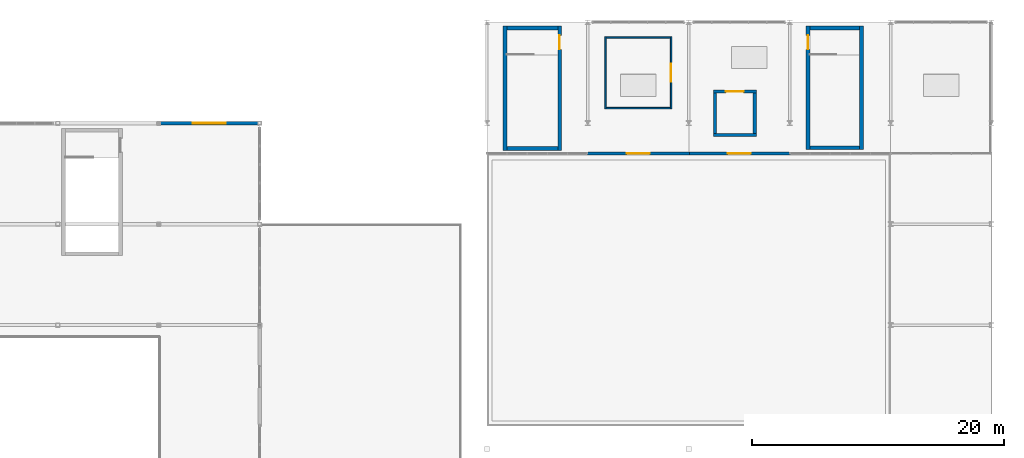
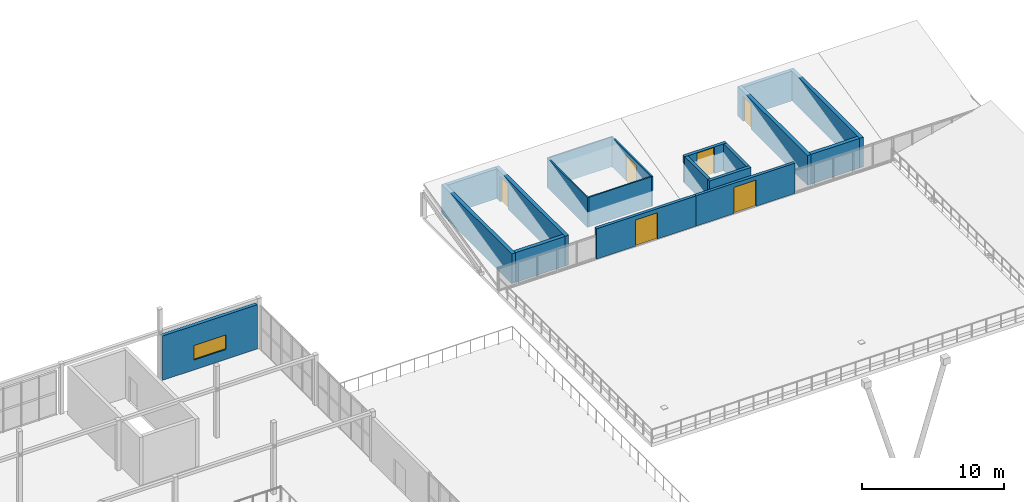
# One storey, part 58 of 83: 19 walls, 6 doors, 1 window, 7 openings.
"""IFC4 building model written with IfcOpenShell, lengths in metres."""

from ifc_helpers import new_model, si_unit, direction, frame, frame_2d, origin, place, context, subcontext, project, spatial, rectangle, extrude, material, layer, layer_set, type_object, element, fill, save


model = new_model("IFC4")

# Units and contexts
model_context = context("Model", 3, precision=1e-05, world=origin(), true_north=direction((0.0, 1.0)))
body_context = subcontext(model_context, "Body", "Model", "MODEL_VIEW")
ifc_project = project(units=[si_unit("LENGTHUNIT", "METRE"), si_unit("AREAUNIT", "SQUARE_METRE"), si_unit("VOLUMEUNIT", "CUBIC_METRE"), si_unit("PLANEANGLEUNIT", "RADIAN"), si_unit("MASSUNIT", "GRAM", prefix="KILO")], contexts=[model_context])

# Site, building, storey
site_placement = place(None, origin())
site = spatial("IfcSite", under=ifc_project, at=site_placement, CompositionType="ELEMENT")
building_placement = place(site_placement, origin())
building = spatial("IfcBuilding", under=site, at=building_placement, Name="Drelvath Fold Interchange", CompositionType="ELEMENT")
storey_placement = place(building_placement, frame((0.0, 0.0, 11.199951171875)))
storey = spatial("IfcBuildingStorey", under=building, at=storey_placement, Name="L02", CompositionType="ELEMENT", Elevation=11.199951171875)

# Wall
ifc_material_1 = material(Name="Concrete f'c 45 MPa (6500 psi)", Category="concrete")
ifc_layer_1 = layer(ifc_material_1, 0.300048828125, Name="Concrete f'c 45 MPa (6500 psi)")
ifc_layer_set_1 = layer_set([ifc_layer_1], Name="Concrete f'c 45 MPa (6500 psi)")
wall_type_1 = type_object("IfcWallType", Name="WL-CR300", PredefinedType="SHEAR", material=ifc_layer_set_1)
wall_1_placement = place(storey_placement, frame((103.60009765625, 97.0, 0.0), z_axis=(0.0, 0.0, 1.0), x_axis=(1.0, 0.0, 0.0)))
element("IfcWall", 1, at=wall_1_placement, inside=storey, type_object=wall_type_1, Name="ST-07 L02 south core wall", PredefinedType="SHEAR", context=body_context, shape_type="SweptSolid", body=[
    extrude(rectangle(XDim=4.02001953125, YDim=0.300048828125, at=frame_2d((2.010009765625, 0.0))), origin(), (0.0, 0.0, 1.0), 2.550048828125),
])

# Wall, opening, door
wall_2_placement = place(storey_placement, frame((107.77001953125, 96.85009765625, 0.0), z_axis=(0.0, 0.0, 1.0), x_axis=(0.0, 1.0, 0.0)))
wall_2 = element("IfcWall", 2, at=wall_2_placement, inside=storey, type_object=wall_type_1, Name="ST-07 L02 east core wall", PredefinedType="SHEAR", context=body_context, shape_type="SweptSolid", body=[
    extrude(rectangle(XDim=9.849853515625, YDim=0.300048828125, at=frame_2d((4.9248046875, 0.0))), origin(), (0.0, 0.0, 1.0), 2.550048828125),
])
opening_1_placement = place(wall_2_placement, frame((8.0, 0.0, 0.0)))
opening_1 = element("IfcOpeningElement", 3, at=opening_1_placement, cuts=wall_2, Name="Opening D-L02-044", PredefinedType="OPENING", context=body_context, shape_type="SweptSolid", body=[
    extrude(rectangle(XDim=1.10009765625, YDim=2.14990234375, at=frame_2d((0.550048828125, 1.074951171875))), frame((0.0, 0.159912109375, 0.0), z_axis=(0.0, -1.0, 0.0), x_axis=(1.0, 0.0, 0.0)), (0.0, 0.0, 1.0), 0.320068359375),
])
ifc_material_2 = material(Name="Insulated Hollow Metal Door Assembly")
door_type_1 = type_object("IfcDoorType", Name="DR-ST1100", OperationType="NOTDEFINED", PredefinedType="DOOR", material=ifc_material_2)
door_1_placement = place(opening_1_placement, origin())
door_1 = element("IfcDoor", 4, at=door_1_placement, inside=storey, type_object=door_type_1, Name="ST-07 L02 stair fire door D-L02-044", OperationType="SINGLE_SWING_RIGHT", OverallHeight=2.14990234375, OverallWidth=1.10009765625, PredefinedType="DOOR", context=body_context, shape_type="SweptSolid", body=[
    extrude(rectangle(XDim=1.10009765625, YDim=2.14990234375, at=frame_2d((0.550048828125, 1.074951171875))), frame((0.0, 0.02490234375, 0.0), z_axis=(0.0, -1.0, 0.0), x_axis=(1.0, 0.0, 0.0)), (0.0, 0.0, 1.0), 0.050048828125),
])
fill(opening_1, door_1)

# Walls
wall_3_placement = place(storey_placement, frame((107.6201171875, 106.550048828125, 0.0), z_axis=(0.0, 0.0, 1.0), x_axis=(-1.0, 0.0, 0.0)))
element("IfcWall", 5, at=wall_3_placement, inside=storey, type_object=wall_type_1, Name="ST-07 L02 north core wall", PredefinedType="SHEAR", context=body_context, shape_type="SweptSolid", body=[
    extrude(rectangle(XDim=4.02001953125, YDim=0.300048828125, at=frame_2d((2.010009765625, 0.0))), origin(), (0.0, 0.0, 1.0), 2.550048828125),
])
wall_4_placement = place(storey_placement, frame((103.449951171875, 106.699951171875, 0.0), z_axis=(0.0, 0.0, 1.0), x_axis=(0.0, -1.0, 0.0)))
element("IfcWall", 6, at=wall_4_placement, inside=storey, type_object=wall_type_1, Name="ST-07 L02 west core wall", PredefinedType="SHEAR", context=body_context, shape_type="SweptSolid", body=[
    extrude(rectangle(XDim=9.849853515625, YDim=0.300048828125, at=frame_2d((4.9248046875, 0.0))), origin(), (0.0, 0.0, 1.0), 2.550048828125),
])
wall_5_placement = place(storey_placement, frame((127.60009765625, 97.050048828125, 0.0), z_axis=(0.0, 0.0, 1.0), x_axis=(1.0, 0.0, 0.0)))
element("IfcWall", 7, at=wall_5_placement, inside=storey, type_object=wall_type_1, Name="ST-08 L02 south core wall", PredefinedType="SHEAR", context=body_context, shape_type="SweptSolid", body=[
    extrude(rectangle(XDim=3.93994140625, YDim=0.300048828125, at=frame_2d((1.969970703125, 0.0))), origin(), (0.0, 0.0, 1.0), 2.550048828125),
])
wall_6_placement = place(storey_placement, frame((131.68994140625, 96.89990234375, 0.0), z_axis=(0.0, 0.0, 1.0), x_axis=(0.0, 1.0, 0.0)))
element("IfcWall", 8, at=wall_6_placement, inside=storey, type_object=wall_type_1, Name="ST-08 L02 east core wall", PredefinedType="SHEAR", context=body_context, shape_type="SweptSolid", body=[
    extrude(rectangle(XDim=9.800048828125, YDim=0.300048828125, at=frame_2d((4.89990234375, 0.0))), origin(), (0.0, 0.0, 1.0), 2.550048828125),
])
wall_7_placement = place(storey_placement, frame((131.5400390625, 106.550048828125, 0.0), z_axis=(0.0, 0.0, 1.0), x_axis=(-1.0, 0.0, 0.0)))
element("IfcWall", 9, at=wall_7_placement, inside=storey, type_object=wall_type_1, Name="ST-08 L02 north core wall", PredefinedType="SHEAR", context=body_context, shape_type="SweptSolid", body=[
    extrude(rectangle(XDim=3.93994140625, YDim=0.300048828125, at=frame_2d((1.969970703125, 0.0))), origin(), (0.0, 0.0, 1.0), 2.550048828125),
])

# Wall, opening, door
wall_8_placement = place(storey_placement, frame((127.449951171875, 106.699951171875, 0.0), z_axis=(0.0, 0.0, 1.0), x_axis=(0.0, -1.0, 0.0)))
wall_8 = element("IfcWall", 10, at=wall_8_placement, inside=storey, type_object=wall_type_1, Name="ST-08 L02 west core wall", PredefinedType="SHEAR", context=body_context, shape_type="SweptSolid", body=[
    extrude(rectangle(XDim=9.800048828125, YDim=0.300048828125, at=frame_2d((4.89990234375, 0.0))), origin(), (0.0, 0.0, 1.0), 2.550048828125),
])
opening_2_placement = place(wall_8_placement, frame((0.75, 0.0, 0.0)))
opening_2 = element("IfcOpeningElement", 11, at=opening_2_placement, cuts=wall_8, Name="Opening D-L02-047", PredefinedType="OPENING", context=body_context, shape_type="SweptSolid", body=[
    extrude(rectangle(XDim=1.10009765625, YDim=2.14990234375, at=frame_2d((0.550048828125, 1.074951171875))), frame((0.0, 0.159912109375, 0.0), z_axis=(0.0, -1.0, 0.0), x_axis=(1.0, 0.0, 0.0)), (0.0, 0.0, 1.0), 0.320068359375),
])
door_2_placement = place(opening_2_placement, origin())
door_2 = element("IfcDoor", 12, at=door_2_placement, inside=storey, type_object=door_type_1, Name="ST-08 L02 stair fire door D-L02-047", OperationType="SINGLE_SWING_LEFT", OverallHeight=2.14990234375, OverallWidth=1.10009765625, PredefinedType="DOOR", context=body_context, shape_type="SweptSolid", body=[
    extrude(rectangle(XDim=1.10009765625, YDim=2.14990234375, at=frame_2d((0.550048828125, 1.074951171875))), frame((0.0, 0.02490234375, 0.0), z_axis=(0.0, -1.0, 0.0), x_axis=(1.0, 0.0, 0.0)), (0.0, 0.0, 1.0), 0.050048828125),
])
fill(opening_2, door_2)

ifc_material_3 = material(Name="Perforated Anodized Aluminium Rainscreen", Category="aluminium")
ifc_layer_2 = layer(ifc_material_3, 0.235107421875, Name="Perforated Anodized Aluminium Rainscreen")
ifc_layer_set_2 = layer_set([ifc_layer_2], Name="Perforated Anodized Aluminium Rainscreen")
wall_type_2 = type_object("IfcWallType", Name="WL-EXT235", PredefinedType="SOLIDWALL", material=ifc_layer_set_2)
wall_9_placement = place(storey_placement, frame((109.955078125, 96.60009765625, 0.0), z_axis=(0.0, 0.0, 1.0), x_axis=(1.0, 0.0, 0.0)))
wall_9 = element("IfcWall", 13, at=wall_9_placement, inside=storey, type_object=wall_type_2, Name="L02 exterior facade wall 46", PredefinedType="SOLIDWALL", context=body_context, shape_type="SweptSolid", body=[
    extrude(rectangle(XDim=8.08984375, YDim=0.235107421875, at=frame_2d((4.044921875, 0.0))), origin(), (0.0, 0.0, 1.0), 2.60009765625),
])
opening_3_placement = place(wall_9_placement, frame((3.14501953125, 0.0, 0.0)))
opening_3 = element("IfcOpeningElement", 14, at=opening_3_placement, cuts=wall_9, Name="Opening D-L02-066", PredefinedType="OPENING", context=body_context, shape_type="SweptSolid", body=[
    extrude(rectangle(XDim=1.800048828125, YDim=2.25, at=frame_2d((0.89990234375, 1.125))), frame((0.0, 0.12744140625, 0.0), z_axis=(0.0, -1.0, 0.0), x_axis=(1.0, 0.0, 0.0)), (0.0, 0.0, 1.0), 0.255126953125),
])
ifc_material_4 = material(Name="Anodized Aluminium Glazed Door Assembly", Category="aluminium")
door_type_2 = type_object("IfcDoorType", Name="DR-TR1800", OperationType="DOUBLE_DOOR_SINGLE_SWING", PredefinedType="DOOR", material=ifc_material_4)
door_3_placement = place(opening_3_placement, frame((1.800048828125, 0.0, 0.0), z_axis=(0.0, 0.0, 1.0), x_axis=(-1.0, 0.0, 0.0)))
door_3 = element("IfcDoor", 15, at=door_3_placement, inside=storey, type_object=door_type_2, Name="L02 outdoor terrace access door D-L02-066", OperationType="DOUBLE_DOOR_SINGLE_SWING", OverallHeight=2.25, OverallWidth=1.800048828125, PredefinedType="DOOR", context=body_context, shape_type="SweptSolid", body=[
    extrude(rectangle(XDim=1.800048828125, YDim=2.25, at=frame_2d((0.89990234375, 1.125))), frame((0.0, 0.02490234375, 0.0), z_axis=(0.0, -1.0, 0.0), x_axis=(1.0, 0.0, 0.0)), (0.0, 0.0, 1.0), 0.050048828125),
])
fill(opening_3, door_3)

wall_10_placement = place(storey_placement, frame((117.955078125, 96.60009765625, 0.0), z_axis=(0.0, 0.0, 1.0), x_axis=(1.0, 0.0, 0.0)))
wall_10 = element("IfcWall", 16, at=wall_10_placement, inside=storey, type_object=wall_type_2, Name="L02 exterior facade wall 47", PredefinedType="SOLIDWALL", context=body_context, shape_type="SweptSolid", body=[
    extrude(rectangle(XDim=8.08984375, YDim=0.235107421875, at=frame_2d((4.044921875, 0.0))), origin(), (0.0, 0.0, 1.0), 2.60009765625),
])
opening_4_placement = place(wall_10_placement, frame((3.14501953125, 0.0, 0.0)))
opening_4 = element("IfcOpeningElement", 17, at=opening_4_placement, cuts=wall_10, Name="Opening D-L02-067", PredefinedType="OPENING", context=body_context, shape_type="SweptSolid", body=[
    extrude(rectangle(XDim=1.800048828125, YDim=2.25, at=frame_2d((0.89990234375, 1.125))), frame((0.0, 0.12744140625, 0.0), z_axis=(0.0, -1.0, 0.0), x_axis=(1.0, 0.0, 0.0)), (0.0, 0.0, 1.0), 0.255126953125),
])
door_4_placement = place(opening_4_placement, frame((1.800048828125, 0.0, 0.0), z_axis=(0.0, 0.0, 1.0), x_axis=(-1.0, 0.0, 0.0)))
door_4 = element("IfcDoor", 18, at=door_4_placement, inside=storey, type_object=door_type_2, Name="L02 outdoor terrace access door D-L02-067", OperationType="DOUBLE_DOOR_SINGLE_SWING", OverallHeight=2.25, OverallWidth=1.800048828125, PredefinedType="DOOR", context=body_context, shape_type="SweptSolid", body=[
    extrude(rectangle(XDim=1.800048828125, YDim=2.25, at=frame_2d((0.89990234375, 1.125))), frame((0.0, 0.02490234375, 0.0), z_axis=(0.0, -1.0, 0.0), x_axis=(1.0, 0.0, 0.0)), (0.0, 0.0, 1.0), 0.050048828125),
])
fill(opening_4, door_4)

# Wall, opening, window
ifc_layer_3 = layer(ifc_material_3, 0.27490234375, Name="Perforated Anodized Aluminium Rainscreen")
ifc_layer_set_3 = layer_set([ifc_layer_3], Name="Perforated Anodized Aluminium Rainscreen")
wall_type_3 = type_object("IfcWallType", Name="WL-EXT275", PredefinedType="SOLIDWALL", material=ifc_layer_set_3)
wall_11_placement = place(storey_placement, frame((76.14794921875, 99.0, 0.0), z_axis=(0.0, 0.0, 1.0), x_axis=(1.0, 0.0, 0.0)))
wall_11 = element("IfcWall", 19, at=wall_11_placement, inside=storey, type_object=wall_type_3, Name="L02 exterior facade wall 19", PredefinedType="SOLIDWALL", context=body_context, shape_type="SweptSolid", body=[
    extrude(rectangle(XDim=7.7041015625, YDim=0.27490234375, at=frame_2d((3.85205078125, 0.0))), origin(), (0.0, 0.0, 1.0), 3.800048828125),
])
opening_5_placement = place(wall_11_placement, frame((2.552001953125, 0.0, 0.85009765625)))
opening_5 = element("IfcOpeningElement", 20, at=opening_5_placement, cuts=wall_11, Name="Opening W-L02-018", PredefinedType="OPENING", context=body_context, shape_type="SweptSolid", body=[
    extrude(rectangle(XDim=2.60009765625, YDim=1.25, at=frame_2d((1.300048828125, 0.625))), frame((0.0, 0.1474609375, 0.0), z_axis=(0.0, -1.0, 0.0), x_axis=(1.0, 0.0, 0.0)), (0.0, 0.0, 1.0), 0.294921875),
])
ifc_material_5 = material(Name="Low-Iron Insulated Laminated Glass", Category="glass")
window_type = type_object("IfcWindowType", Name="WN-260x125", PartitioningType="DOUBLE_PANEL_VERTICAL", PredefinedType="WINDOW", material=ifc_material_5)
window_placement = place(opening_5_placement, origin())
window = element("IfcWindow", 21, at=window_placement, inside=storey, type_object=window_type, Name="Facade window W-L02-018", OverallHeight=1.25, OverallWidth=2.60009765625, PartitioningType="SINGLE_PANEL", PredefinedType="WINDOW", context=body_context, shape_type="SweptSolid", body=[
    extrude(rectangle(XDim=2.60009765625, YDim=1.25, at=frame_2d((1.300048828125, 0.625))), frame((0.0, 0.030029296875, 0.0), z_axis=(0.0, -1.0, 0.0), x_axis=(1.0, 0.0, 0.0)), (0.0, 0.0, 1.0), 0.06005859375),
])
fill(opening_5, window)

# Wall
ifc_material_6 = material(Name="Acoustic Gypsum Board Partition Assembly")
ifc_layer_4 = layer(ifc_material_6, 0.114990234375, Name="Acoustic Gypsum Board Partition Assembly")
ifc_layer_set_4 = layer_set([ifc_layer_4], Name="Acoustic Gypsum Board Partition Assembly")
wall_type_4 = type_object("IfcWallType", Name="WL-PT115", PredefinedType="PARTITIONING", material=ifc_layer_set_4)
wall_12_placement = place(storey_placement, frame((111.4580078125, 100.199951171875, 0.0), z_axis=(0.0, 0.0, 1.0), x_axis=(1.0, 0.0, 0.0)))
element("IfcWall", 22, at=wall_12_placement, inside=storey, type_object=wall_type_4, Name="Roof Garden Pavilion and Cycle Cafe S partition", PredefinedType="PARTITIONING", context=body_context, shape_type="SweptSolid", body=[
    extrude(rectangle(XDim=5.083984375, YDim=0.114990234375, at=frame_2d((2.5419921875, 0.0))), origin(), (0.0, 0.0, 1.0), 2.550048828125),
])

# Wall, opening, door
wall_13_placement = place(storey_placement, frame((116.60009765625, 100.14208984375, 0.0), z_axis=(0.0, 0.0, 1.0), x_axis=(0.0, 1.0, 0.0)))
wall_13 = element("IfcWall", 23, at=wall_13_placement, inside=storey, type_object=wall_type_4, Name="Roof Garden Pavilion and Cycle Cafe E partition", PredefinedType="PARTITIONING", context=body_context, shape_type="SweptSolid", body=[
    extrude(rectangle(XDim=5.7158203125, YDim=0.114990234375, at=frame_2d((2.85791015625, 0.0))), origin(), (0.0, 0.0, 1.0), 2.550048828125),
])
opening_6_placement = place(wall_13_placement, frame((2.1279296875, 0.0, 0.0)))
opening_6 = element("IfcOpeningElement", 24, at=opening_6_placement, cuts=wall_13, Name="Opening D-L02-123", PredefinedType="OPENING", context=body_context, shape_type="SweptSolid", body=[
    extrude(rectangle(XDim=1.4599609375, YDim=2.199951171875, at=frame_2d((0.72998046875, 1.10009765625))), frame((0.0, 0.0673828125, 0.0), z_axis=(0.0, -1.0, 0.0), x_axis=(1.0, 0.0, 0.0)), (0.0, 0.0, 1.0), 0.135009765625),
])
door_type_3 = type_object("IfcDoorType", Name="DR-NR146", OperationType="DOUBLE_DOOR_SINGLE_SWING", PredefinedType="DOOR", material=ifc_material_4)
door_5_placement = place(opening_6_placement, origin())
door_5 = element("IfcDoor", 25, at=door_5_placement, inside=storey, type_object=door_type_3, Name="Roof Garden Pavilion and Cycle Cafe door D-L02-123", OperationType="DOUBLE_DOOR_SINGLE_SWING", OverallHeight=2.199951171875, OverallWidth=1.4599609375, PredefinedType="DOOR", context=body_context, shape_type="SweptSolid", body=[
    extrude(rectangle(XDim=1.4599609375, YDim=2.199951171875, at=frame_2d((0.72998046875, 1.10009765625))), frame((0.0, 0.02490234375, 0.0), z_axis=(0.0, -1.0, 0.0), x_axis=(1.0, 0.0, 0.0)), (0.0, 0.0, 1.0), 0.050048828125),
])
fill(opening_6, door_5)

# Walls
wall_14_placement = place(storey_placement, frame((116.5419921875, 105.800048828125, 0.0), z_axis=(0.0, 0.0, 1.0), x_axis=(-1.0, 0.0, 0.0)))
element("IfcWall", 26, at=wall_14_placement, inside=storey, type_object=wall_type_4, Name="Roof Garden Pavilion and Cycle Cafe N partition", PredefinedType="PARTITIONING", context=body_context, shape_type="SweptSolid", body=[
    extrude(rectangle(XDim=5.083984375, YDim=0.114990234375, at=frame_2d((2.5419921875, 0.0))), origin(), (0.0, 0.0, 1.0), 2.550048828125),
])
wall_15_placement = place(storey_placement, frame((111.39990234375, 105.85791015625, 0.0), z_axis=(0.0, 0.0, 1.0), x_axis=(0.0, -1.0, 0.0)))
element("IfcWall", 27, at=wall_15_placement, inside=storey, type_object=wall_type_4, Name="Roof Garden Pavilion and Cycle Cafe W partition", PredefinedType="PARTITIONING", context=body_context, shape_type="SweptSolid", body=[
    extrude(rectangle(XDim=5.7158203125, YDim=0.114990234375, at=frame_2d((2.85791015625, 0.0))), origin(), (0.0, 0.0, 1.0), 2.550048828125),
])
ifc_layer_5 = layer(ifc_material_1, 0.25, Name="Concrete f'c 45 MPa (6500 psi)")
ifc_layer_set_5 = layer_set([ifc_layer_5], Name="Concrete f'c 45 MPa (6500 psi)")
wall_type_5 = type_object("IfcWallType", Name="WL-SH250", PredefinedType="SOLIDWALL", material=ifc_layer_set_5)
wall_16_placement = place(storey_placement, frame((119.949951171875, 98.074951171875, 0.0), z_axis=(0.0, 0.0, 1.0), x_axis=(1.0, 0.0, 0.0)))
element("IfcWall", 28, at=wall_16_placement, inside=storey, type_object=wall_type_5, Name="LF-08 L02 south shaft wall", PredefinedType="SOLIDWALL", context=body_context, shape_type="SweptSolid", body=[
    extrude(rectangle(XDim=3.400146484375, YDim=0.25, at=frame_2d((1.7001953125, 0.0))), origin(), (0.0, 0.0, 1.0), 2.300048828125),
])

# Wall, opening, door
wall_17_placement = place(storey_placement, frame((123.35009765625, 101.52490234375, 0.0), z_axis=(0.0, 0.0, 1.0), x_axis=(-1.0, 0.0, 0.0)))
wall_17 = element("IfcWall", 29, at=wall_17_placement, inside=storey, type_object=wall_type_5, Name="LF-08 L02 north shaft wall", PredefinedType="SOLIDWALL", context=body_context, shape_type="SweptSolid", body=[
    extrude(rectangle(XDim=3.400146484375, YDim=0.25, at=frame_2d((1.7001953125, 0.0))), origin(), (0.0, 0.0, 1.0), 2.300048828125),
])
opening_7_placement = place(wall_17_placement, frame((1.0, 0.0, 0.0)))
opening_7 = element("IfcOpeningElement", 30, at=opening_7_placement, cuts=wall_17, Name="Opening LD-LF-08-L02", PredefinedType="OPENING", context=body_context, shape_type="SweptSolid", body=[
    extrude(rectangle(XDim=1.39990234375, YDim=2.25, at=frame_2d((0.699951171875, 1.125))), frame((0.0, 0.135009765625, 0.0), z_axis=(0.0, -1.0, 0.0), x_axis=(1.0, 0.0, 0.0)), (0.0, 0.0, 1.0), 0.27001953125),
])
door_type_4 = type_object("IfcDoorType", Name="DR-LD1400", OperationType="DOUBLE_DOOR_SLIDING", PredefinedType="DOOR", material=ifc_material_2)
door_6_placement = place(opening_7_placement, frame((1.39990234375, 0.0, 0.0), z_axis=(0.0, 0.0, 1.0), x_axis=(-1.0, 0.0, 0.0)))
door_6 = element("IfcDoor", 31, at=door_6_placement, inside=storey, type_object=door_type_4, Name="LF-08 L02 lift landing sliding door LD-LF-08-L02", OperationType="DOUBLE_DOOR_SLIDING", OverallHeight=2.25, OverallWidth=1.39990234375, PredefinedType="DOOR", context=body_context, shape_type="SweptSolid", body=[
    extrude(rectangle(XDim=1.39990234375, YDim=2.25, at=frame_2d((0.699951171875, 1.125))), frame((0.0, 0.02490234375, 0.0), z_axis=(0.0, -1.0, 0.0), x_axis=(1.0, 0.0, 0.0)), (0.0, 0.0, 1.0), 0.050048828125),
])
fill(opening_7, door_6)

# Walls
for number, where, z_axis, x_axis, name in (
    (32, (123.22509765625, 98.199951171875, 0.0), (0.0, 0.0, 1.0), (0.0, 1.0, 0.0), "LF-08 L02 east shaft wall"),
    (33, (120.074951171875, 101.39990234375, 0.0), (0.0, 0.0, 1.0), (0.0, -1.0, 0.0), "LF-08 L02 west shaft wall"),
):
    element("IfcWall", number, at=place(storey_placement, frame(where, z_axis=z_axis, x_axis=x_axis)), inside=storey, type_object=wall_type_5, Name=name, PredefinedType="SOLIDWALL", context=body_context, shape_type="SweptSolid", body=[
        extrude(rectangle(XDim=3.199951171875, YDim=0.25, at=frame_2d((1.60009765625, 0.0))), origin(), (0.0, 0.0, 1.0), 2.300048828125),
    ])

save(model, "model.ifc")
